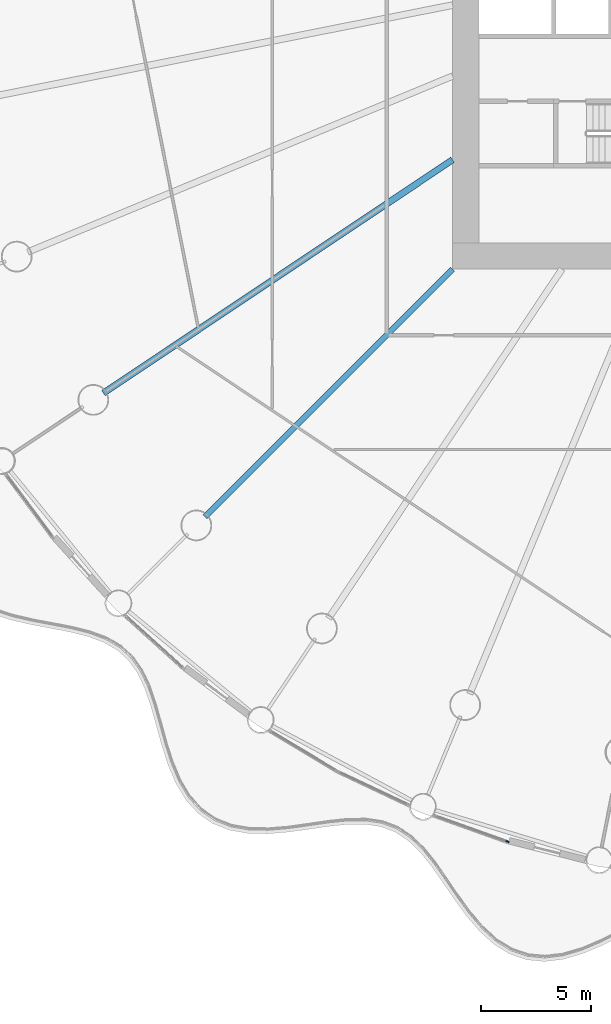
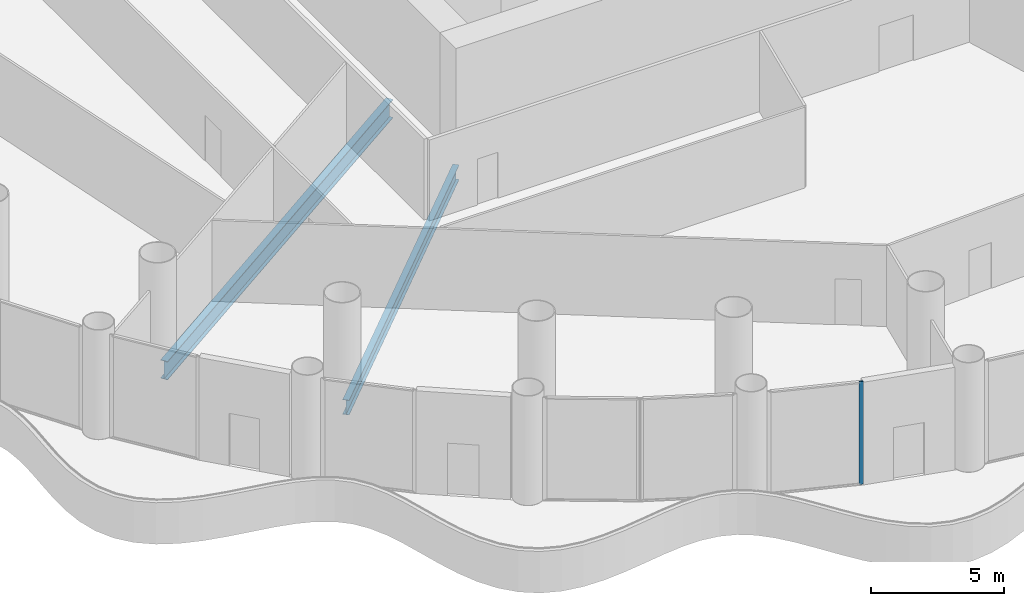
# One storey, part 4 of 35: 2 beams, 1 member, 1 element without a shape of its own.
"""IFC4 building model written with IfcOpenShell, lengths in metres."""

import ifcopenshell
import ifcopenshell.guid

model = None  # the IFC model being written
_history = None  # IfcOwnerHistory: only IFC2X3 demands one
_inside = {}  # id of a spatial element -> (the spatial element, [elements in it])
_under = {}  # id of a project, library or spatial element -> (it, [spatial elements below it])
_declared = {}  # id of a project -> (the project, [libraries it declares])
_typed = {}  # id of a type object -> (the type object, [elements of that type])
_made_of = {}  # id of a material, layer set ... -> (it, [elements and type objects made of it])


def new_model(schema):
    """Start an empty IFC model of exactly this schema.

    Asked for "IFC4X3", IfcOpenShell would pick the latest addendum, in which some entities
    have other attributes; the version numbers below select the first issue.
    IFC2X3 requires an IfcOwnerHistory on every rooted entity: one is made here for all.
    """
    global model, _history
    if schema == "IFC4X3":
        model = ifcopenshell.file(schema_version=(4, 3, 0, 0))
    else:
        model = ifcopenshell.file(schema=schema)
    _inside.clear()
    _under.clear()
    _declared.clear()
    _typed.clear()
    _made_of.clear()
    _history = None
    if model.schema == "IFC2X3":
        org = make("IfcOrganization", Name="unknown")
        user = make(
            "IfcPersonAndOrganization",
            ThePerson=make("IfcPerson", FamilyName="unknown"),
            TheOrganization=org,
        )
        app = make(
            "IfcApplication",
            ApplicationDeveloper=org,
            Version="unknown",
            ApplicationFullName="unknown",
            ApplicationIdentifier="unknown",
        )
        _history = make(
            "IfcOwnerHistory",
            OwningUser=user,
            OwningApplication=app,
            ChangeAction="ADDED",
            CreationDate=0,
        )
    return model


def make(cls, **values):
    """One entity of the class cls with the attributes given. An attribute that is None is left unset."""
    return model.create_entity(
        cls, **{name: value for name, value in values.items() if value is not None}
    )


def rooted(cls, **values):
    """An entity with a GlobalId (a new one), such as an element, a storey or a relation."""
    return make(cls, GlobalId=ifcopenshell.guid.new(), OwnerHistory=_history, **values)


def si_unit(unit_type, name, prefix=None):
    """IfcSIUnit, for example si_unit("LENGTHUNIT", "METRE", prefix="MILLI")."""
    return make("IfcSIUnit", UnitType=unit_type, Prefix=prefix, Name=name)


def assignment(units):
    """IfcUnitAssignment: the units of a project."""
    return None if units is None else make("IfcUnitAssignment", Units=units)


def point(xyz):
    """IfcCartesianPoint."""
    return None if xyz is None else make("IfcCartesianPoint", Coordinates=xyz)


def direction(xyz):
    """IfcDirection."""
    return None if xyz is None else make("IfcDirection", DirectionRatios=xyz)


def frame(location, z_axis=None, x_axis=None):
    """IfcAxis2Placement3D, a coordinate frame: its origin and axes. An axis left out is left unset."""
    return make(
        "IfcAxis2Placement3D",
        Location=point(location),
        Axis=direction(z_axis),
        RefDirection=direction(x_axis),
    )


def frame_2d(location, x_axis=None):
    """IfcAxis2Placement2D, a coordinate frame in the plane: its origin and x axis."""
    return make(
        "IfcAxis2Placement2D", Location=point(location), RefDirection=direction(x_axis)
    )


def origin():
    """The frame at (0, 0, 0) with its axes left unset."""
    return frame((0.0, 0.0, 0.0))


def origin_2d():
    """The frame at (0, 0) in the plane with its x axis left unset."""
    return frame_2d((0.0, 0.0))


def place(relative_to, where):
    """IfcLocalPlacement: puts the frame where relative to a parent placement (None: the world)."""
    return make(
        "IfcLocalPlacement", PlacementRelTo=relative_to, RelativePlacement=where
    )


def context(
    kind, dimensions, precision=None, world=None, true_north=None, identifier=None
):
    """IfcGeometricRepresentationContext, for example the 3D "Model" context."""
    return make(
        "IfcGeometricRepresentationContext",
        ContextIdentifier=identifier,
        ContextType=kind,
        CoordinateSpaceDimension=dimensions,
        Precision=precision,
        WorldCoordinateSystem=world,
        TrueNorth=true_north,
    )


def subcontext(parent, identifier, kind, view, scale=None):
    """IfcGeometricRepresentationSubContext, for example "Body" below "Model"."""
    return make(
        "IfcGeometricRepresentationSubContext",
        ContextIdentifier=identifier,
        ContextType=kind,
        ParentContext=parent,
        TargetScale=scale,
        TargetView=view,
    )


def project(units=None, contexts=None):
    """IfcProject with its units and contexts."""
    return rooted(
        "IfcProject",
        Name="project",
        RepresentationContexts=contexts,
        UnitsInContext=assignment(units),
    )


def spatial(cls, under=None, at=None, **own):
    """A site, building, storey or space (cls), placed at a placement, below another one or the project."""
    s = rooted(cls, ObjectPlacement=at, **own)
    if under is not None:
        _under.setdefault(under.id(), (under, []))[1].append(s)
    return s


def profile(cls, at=None, kind="AREA", **sizes):
    """A parametric profile (cls). Its sizes go by their IFC names, for example OverallWidth=200.0."""
    return make(cls, ProfileType=kind, Position=at, **sizes)


def rectangle(**sizes):
    """IfcRectangleProfileDef."""
    return profile("IfcRectangleProfileDef", **sizes)


def i_section(**sizes):
    """IfcIShapeProfileDef."""
    return profile("IfcIShapeProfileDef", **sizes)


def extrude(swept, where, along, depth):
    """IfcExtrudedAreaSolid: the profile swept, set in the frame where, extruded along a direction by depth."""
    return make(
        "IfcExtrudedAreaSolid",
        SweptArea=swept,
        Position=where,
        ExtrudedDirection=direction(along),
        Depth=depth,
    )


def shape(context_of_items, identifier, shape_type, items):
    """IfcShapeRepresentation: the items that make up one representation, for example the "Body"."""
    return make(
        "IfcShapeRepresentation",
        ContextOfItems=context_of_items,
        RepresentationIdentifier=identifier,
        RepresentationType=shape_type,
        Items=items,
    )


def material(Name=None, Category=None):
    """IfcMaterial."""
    return make("IfcMaterial", Name=Name, Category=Category)


def material_profile(
    of_material, cross_section, Name=None, Category=None, Priority=None
):
    """IfcMaterialProfile: a cross section and its material."""
    return make(
        "IfcMaterialProfile",
        Name=Name,
        Material=of_material,
        Profile=cross_section,
        Priority=Priority,
        Category=Category,
    )


def profile_set(profiles, Name=None, composite=None):
    """IfcMaterialProfileSet."""
    return make(
        "IfcMaterialProfileSet",
        Name=Name,
        MaterialProfiles=profiles,
        CompositeProfile=composite,
    )


def made_of(thing, what):
    """Note that an element or type object is made of a material, layer set ...; save() writes the relation."""
    if what is not None:
        _made_of.setdefault(what.id(), (what, []))[1].append(thing)
    return thing


def type_object(cls, material=None, **own):
    """A type object (cls), such as IfcWallType, which elements share."""
    return made_of(rooted(cls, **own), material)


def element(
    cls,
    number,
    at=None,
    inside=None,
    cuts=None,
    type_object=None,
    material=None,
    context=None,
    identifier="Body",
    shape_type=None,
    held_by="IfcProductDefinitionShape",
    body=None,
    shapes=None,
    **own,
):
    """One element of the class cls, such as IfcWall. Its Tag is "e" and its number.

    at: its placement. inside: the storey or other place that contains it. cuts: it is an
    opening in that element (IfcRelVoidsElement). A single representation is given by context,
    identifier, shape_type and body (its items); several are given by shapes. held_by: the class
    of the entity that holds the representations. save() writes the other relations.
    """
    e = rooted(cls, Tag="e%d" % number, ObjectPlacement=at, **own)
    if body is not None:
        shapes = [shape(context, identifier, shape_type, body)]
    if shapes is not None:
        e.Representation = make(held_by, Representations=shapes)
    if inside is not None:
        _inside.setdefault(inside.id(), (inside, []))[1].append(e)
    if cuts is not None:
        rooted(
            "IfcRelVoidsElement", RelatingBuildingElement=cuts, RelatedOpeningElement=e
        )
    if type_object is not None:
        _typed.setdefault(type_object.id(), (type_object, []))[1].append(e)
    return made_of(e, material)


def aggregate(whole, parts):
    """IfcRelAggregates: a whole, such as a stair, and the parts it consists of."""
    return rooted("IfcRelAggregates", RelatingObject=whole, RelatedObjects=parts)


def save(model, path):
    """Write the relations noted so far, then the file.

    IfcRelAggregates (storeys below a building ...), IfcRelContainedInSpatialStructure (elements
    in a storey), IfcRelDefinesByType, IfcRelAssociatesMaterial and IfcRelDeclares: one each for
    every whole, place, type object, material and project.
    """
    for whole, parts in _under.values():
        aggregate(whole, parts)
    for where, things in _inside.values():
        rooted(
            "IfcRelContainedInSpatialStructure",
            RelatedElements=things,
            RelatingStructure=where,
        )
    for kind, things in _typed.values():
        rooted("IfcRelDefinesByType", RelatedObjects=things, RelatingType=kind)
    for what, things in _made_of.values():
        rooted("IfcRelAssociatesMaterial", RelatedObjects=things, RelatingMaterial=what)
    for by, libraries in _declared.values():
        rooted("IfcRelDeclares", RelatingContext=by, RelatedDefinitions=libraries)
    model.write(path)


model = new_model("IFC4")

# Units and contexts
model_context = context("Model", 3, precision=1e-05, world=origin(), true_north=direction((0.0, 1.0)))
body_context = subcontext(model_context, "Body", "Model", "MODEL_VIEW")
ifc_project = project(units=[si_unit("LENGTHUNIT", "METRE"), si_unit("AREAUNIT", "SQUARE_METRE"), si_unit("VOLUMEUNIT", "CUBIC_METRE"), si_unit("PLANEANGLEUNIT", "RADIAN"), si_unit("MASSUNIT", "GRAM", prefix="KILO")], contexts=[model_context])

# Site, building, storey
site_placement = place(None, origin())
site = spatial("IfcSite", under=ifc_project, at=site_placement, CompositionType="ELEMENT")
building_placement = place(site_placement, origin())
building = spatial("IfcBuilding", under=site, at=building_placement, Name="Corvane Civic Tower", CompositionType="ELEMENT")
storey_placement = place(building_placement, frame((0.0, 0.0, 22.0)))
storey = spatial("IfcBuildingStorey", under=building, at=storey_placement, Name="L04", CompositionType="ELEMENT", Elevation=22.0)

# Beams
ifc_material_1 = material(Name="Steel ASTM A992 Gr 50", Category="steel")
ifc_material_profile_1 = material_profile(ifc_material_1, i_section(OverallWidth=0.25390625, OverallDepth=0.67822265625, WebThickness=0.01171875, FlangeThickness=0.016357421875, at=origin_2d()), Name="W27X84")
ifc_profile_set_1 = profile_set([ifc_material_profile_1], Name="Steel ASTM A992 Gr 50")
beam_type_1 = type_object("IfcBeamType", Name="FLOOR GIRDER W27X84", PredefinedType="BEAM", material=ifc_profile_set_1)
beam_1_placement = place(storey_placement, frame((-15.0, -15.0, -0.63916015625), z_axis=(-0.707106781187, -0.707106781187, 0.0), x_axis=(0.707106781187, -0.707106781187, 0.0)))
element("IfcBeam", 1, at=beam_1_placement, inside=storey, type_object=beam_type_1, Name="BM-L04-G21", PredefinedType="BEAM", context=body_context, shape_type="SweptSolid", body=[
    extrude(i_section(OverallWidth=0.25390625, OverallDepth=0.67822265625, WebThickness=0.01171875, FlangeThickness=0.016357421875, at=origin_2d()), origin(), (0.0, 0.0, 1.0), 15.936767578125),
])
ifc_material_2 = material(Name="Steel ASTM A992 Gr 50", Category="steel")
ifc_material_profile_2 = material_profile(ifc_material_2, i_section(OverallWidth=0.2919921875, OverallDepth=0.845703125, WebThickness=0.015380859375, FlangeThickness=0.0244140625, at=origin_2d()), Name="W33X141")
ifc_profile_set_2 = profile_set([ifc_material_profile_2], Name="Steel ASTM A992 Gr 50")
beam_type_2 = type_object("IfcBeamType", Name="FLOOR GIRDER W33X141", PredefinedType="BEAM", material=ifc_profile_set_2)
beam_2_placement = place(storey_placement, frame((-15.0, -10.022705078125, -0.722900390625), z_axis=(-0.831471985418, -0.555566681385, 0.0), x_axis=(0.555566681385, -0.831471985418, 0.0)))
element("IfcBeam", 2, at=beam_2_placement, inside=storey, type_object=beam_type_2, Name="BM-L04-G22", PredefinedType="BEAM", context=body_context, shape_type="SweptSolid", body=[
    extrude(i_section(OverallWidth=0.2919921875, OverallDepth=0.845703125, WebThickness=0.015380859375, FlangeThickness=0.0244140625, at=origin_2d()), origin(), (0.0, 0.0, 1.0), 19.109619140625),
])

# Curtain wall, member
ifc_material_3 = material(Name="Aluminium and glass", Category="aluminium")
curtain_wall_type = type_object("IfcCurtainWallType", Name="PODIUM-CW-P-RUN", PredefinedType="NOTDEFINED", material=ifc_material_3)
curtain_wall_placement = place(storey_placement, origin())
curtain_wall = element("IfcCurtainWall", 3, at=curtain_wall_placement, inside=storey, type_object=curtain_wall_type, Name="PODI run L04-drum-18B", PredefinedType="NOTDEFINED")
ifc_material_4 = material(Name="Anodised aluminium bronze", Category="aluminium")
ifc_material_profile_3 = material_profile(ifc_material_4, rectangle(XDim=0.06005859375, YDim=0.159912109375, at=origin_2d()), Name="AL 60x160")
ifc_profile_set_3 = profile_set([ifc_material_profile_3], Name="Anodised aluminium bronze")
member_type = type_object("IfcMemberType", Name="PODIUM-CWP-MULLION-60x160", PredefinedType="MULLION", material=ifc_profile_set_3)
member_placement = place(storey_placement, frame((-12.4990234375, -41.046875, 0.0), z_axis=(0.0, 0.0, 1.0), x_axis=(-0.336918534123, -0.941533802561, 0.0)))
member = element("IfcMember", 4, at=member_placement, type_object=member_type, Name="CW-P mullion 1", PredefinedType="MULLION", context=body_context, shape_type="SweptSolid", body=[
    extrude(rectangle(XDim=0.06005859375, YDim=0.159912109375, at=origin_2d()), origin(), (0.0, 0.0, 1.0), 4.699951171875),
])
aggregate(curtain_wall, [member])

save(model, "model.ifc")
